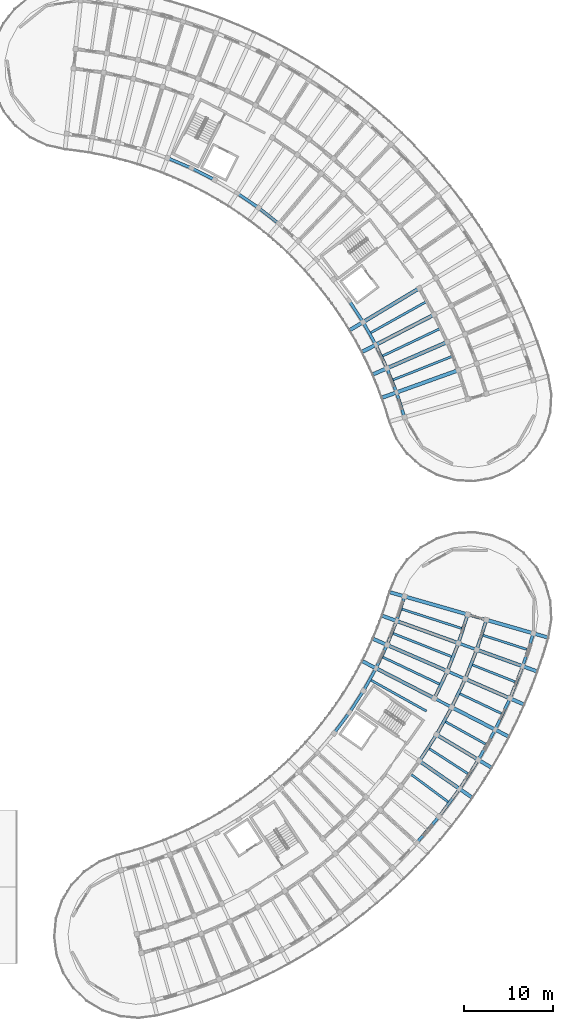
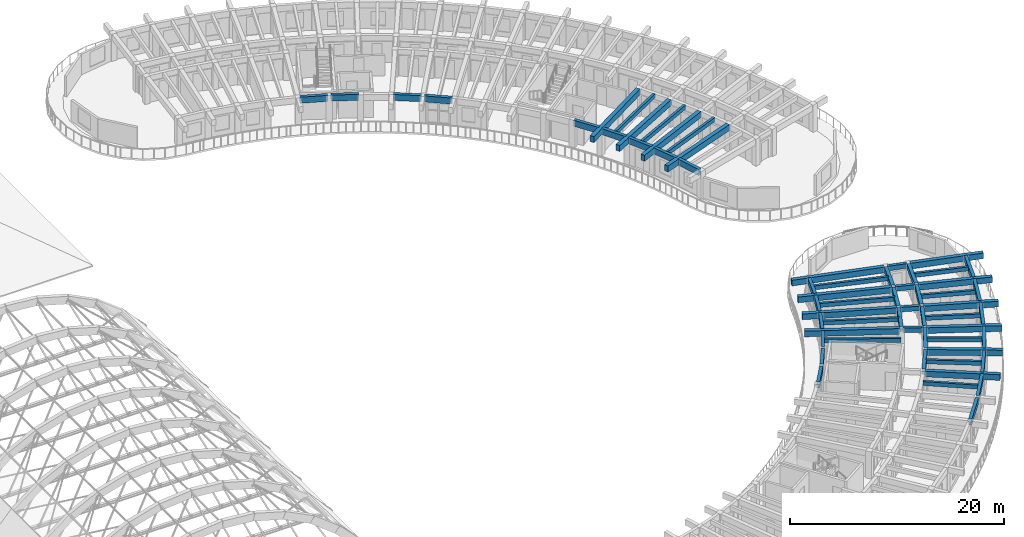
# One storey, part 19 of 81: 61 beams.
"""IFC4 building model written with IfcOpenShell, lengths in metres."""

from ifc_helpers import new_model, si_unit, direction, frame, origin, origin_2d, place, context, subcontext, project, spatial, rectangle, extrude, material, material_profile, profile_set, type_object, element, save


model = new_model("IFC4")

# Units and contexts
model_context = context("Model", 3, precision=1e-05, world=origin(), true_north=direction((0.0, 1.0)))
body_context = subcontext(model_context, "Body", "Model", "MODEL_VIEW")
ifc_project = project(units=[si_unit("LENGTHUNIT", "METRE"), si_unit("AREAUNIT", "SQUARE_METRE"), si_unit("VOLUMEUNIT", "CUBIC_METRE"), si_unit("PLANEANGLEUNIT", "RADIAN"), si_unit("MASSUNIT", "GRAM", prefix="KILO")], contexts=[model_context])

# Site, building, storey
site_placement = place(None, origin())
site = spatial("IfcSite", under=ifc_project, at=site_placement, CompositionType="ELEMENT")
building_placement = place(site_placement, origin())
building = spatial("IfcBuilding", under=site, at=building_placement, Name="Tanwirah Colonnade Gardens", CompositionType="ELEMENT")
storey_placement = place(building_placement, frame((0.0, 0.0, 8.840087890625)))
storey = spatial("IfcBuildingStorey", under=building, at=storey_placement, Name="L02", CompositionType="ELEMENT", Elevation=8.840087890625)

# Beams
ifc_material_1 = material(Name="Precast concrete C40/50", Category="concrete")
ifc_material_profile_1 = material_profile(ifc_material_1, rectangle(XDim=0.360107421875, YDim=0.610107421875, at=origin_2d()), Name="PC-BM 360x610")
ifc_profile_set_1 = profile_set([ifc_material_profile_1], Name="Precast concrete C40/50")
beam_type_1 = type_object("IfcBeamType", Name="BM-PC300", PredefinedType="BEAM", material=ifc_profile_set_1)
for number, where, z_axis, x_axis, name in (
    (1, (165.491455078125, 33.817626953125, 2.7998046875), (0.542825891173, 0.839845254718, 0.0), (-0.839845254718, 0.542825891173, 0.0), "Block D L02 Circumferential Beam 11-R2"),
    (2, (167.40283203125, 36.793212890625, 2.7998046875), (0.486712025227, 0.873562478875, 0.0), (-0.873562478875, 0.486712025227, 0.0), "Block D L02 Circumferential Beam 12-R2"),
):
    element("IfcBeam", number, at=place(storey_placement, frame(where, z_axis=z_axis, x_axis=x_axis)), inside=storey, type_object=beam_type_1, Name=name, PredefinedType="BEAM", context=body_context, shape_type="SweptSolid", body=[
        extrude(rectangle(XDim=0.360107421875, YDim=0.610107421875, at=origin_2d()), origin(), (0.0, 0.0, 1.0), 3.23681640625),
    ])
beam_1_placement = place(storey_placement, frame((167.159912109375, 40.894775390625, 2.7998046875), z_axis=(0.428520598641, 0.903532011907, 0.0), x_axis=(-0.903532011907, 0.428520598641, 0.0)))
element("IfcBeam", 3, at=beam_1_placement, inside=storey, type_object=beam_type_1, Name="Block D L02 Circumferential Beam 13-R1", PredefinedType="BEAM", context=body_context, shape_type="SweptSolid", body=[
    extrude(rectangle(XDim=0.360107421875, YDim=0.610107421875, at=origin_2d()), origin(), (0.0, 0.0, 1.0), 3.093017578125),
])
beam_2_placement = place(storey_placement, frame((169.11572265625, 39.887451171875, 2.7998046875), z_axis=(0.428562893949, 0.903511951183, 0.0), x_axis=(-0.903511951183, 0.428562893949, 0.0)))
element("IfcBeam", 4, at=beam_2_placement, inside=storey, type_object=beam_type_1, Name="Block D L02 Circumferential Beam 13-R2", PredefinedType="BEAM", context=body_context, shape_type="SweptSolid", body=[
    extrude(rectangle(XDim=0.360107421875, YDim=0.610107421875, at=origin_2d()), origin(), (0.0, 0.0, 1.0), 3.23681640625),
])
beam_3_placement = place(storey_placement, frame((168.604736328125, 43.96435546875, 2.7998046875), z_axis=(0.368544574427, 0.929610077753, 0.0), x_axis=(-0.929610077753, 0.368544574427, 0.0)))
element("IfcBeam", 5, at=beam_3_placement, inside=storey, type_object=beam_type_1, Name="Block D L02 Circumferential Beam 14-R1", PredefinedType="BEAM", context=body_context, shape_type="SweptSolid", body=[
    extrude(rectangle(XDim=0.360107421875, YDim=0.610107421875, at=origin_2d()), origin(), (0.0, 0.0, 1.0), 3.093017578125),
])
beam_4_placement = place(storey_placement, frame((170.622314453125, 43.087158203125, 2.7998046875), z_axis=(0.368527954052, 0.929616666741, 0.0), x_axis=(-0.929616666741, 0.368527954052, 0.0)))
element("IfcBeam", 6, at=beam_4_placement, inside=storey, type_object=beam_type_1, Name="Block D L02 Circumferential Beam 14-R2", PredefinedType="BEAM", context=body_context, shape_type="SweptSolid", body=[
    extrude(rectangle(XDim=0.360107421875, YDim=0.610107421875, at=origin_2d()), origin(), (0.0, 0.0, 1.0), 3.23681640625),
])
beam_5_placement = place(storey_placement, frame((169.845947265625, 47.121826171875, 2.7998046875), z_axis=(0.306977410573, 0.951716801048, 0.0), x_axis=(-0.951716801048, 0.306977410573, 0.0)))
element("IfcBeam", 7, at=beam_5_placement, inside=storey, type_object=beam_type_1, Name="Block D L02 Circumferential Beam 15-R1", PredefinedType="BEAM", context=body_context, shape_type="SweptSolid", body=[
    extrude(rectangle(XDim=0.360107421875, YDim=0.610107421875, at=origin_2d()), origin(), (0.0, 0.0, 1.0), 3.093017578125),
])
beam_6_placement = place(storey_placement, frame((171.91650390625, 46.37841796875, 2.7998046875), z_axis=(0.306980742305, 0.951715726388, 0.0), x_axis=(-0.951715726388, 0.306980742305, 0.0)))
element("IfcBeam", 8, at=beam_6_placement, inside=storey, type_object=beam_type_1, Name="Block D L02 Circumferential Beam 15-R2", PredefinedType="BEAM", context=body_context, shape_type="SweptSolid", body=[
    extrude(rectangle(XDim=0.360107421875, YDim=0.610107421875, at=origin_2d()), origin(), (0.0, 0.0, 1.0), 3.23681640625),
])
ifc_material_profile_2 = material_profile(ifc_material_1, rectangle(XDim=0.320068359375, YDim=0.52001953125, at=origin_2d()), Name="PC-BM 320x520")
ifc_profile_set_2 = profile_set([ifc_material_profile_2], Name="Precast concrete C40/50")
beam_type_2 = type_object("IfcBeamType", Name="BM-PC320", PredefinedType="BEAM", material=ifc_profile_set_2)
beam_7_placement = place(storey_placement, frame((167.22900390625, 40.690673828125, 2.844970703125), z_axis=(0.888965044602, -0.457975053334, 0.0), x_axis=(0.457975053334, 0.888965044602, 0.0)))
element("IfcBeam", 9, at=beam_7_placement, inside=storey, type_object=beam_type_2, Name="Block D L02 Corridor Tie Beam 13", PredefinedType="BEAM", context=body_context, shape_type="SweptSolid", body=[
    extrude(rectangle(XDim=0.320068359375, YDim=0.52001953125, at=origin_2d()), origin(), (0.0, 0.0, 1.0), 1.89990234375),
])
beam_8_placement = place(storey_placement, frame((168.68701171875, 43.76513671875, 2.844970703125), z_axis=(0.917025109963, -0.398829471952, 0.0), x_axis=(0.398829471952, 0.917025109963, 0.0)))
element("IfcBeam", 10, at=beam_8_placement, inside=storey, type_object=beam_type_2, Name="Block D L02 Corridor Tie Beam 14", PredefinedType="BEAM", context=body_context, shape_type="SweptSolid", body=[
    extrude(rectangle(XDim=0.320068359375, YDim=0.52001953125, at=origin_2d()), origin(), (0.0, 0.0, 1.0), 1.900146484375),
])
for number, where, z_axis, x_axis, name in (
    (11, (169.941162109375, 46.92822265625, 2.844970703125), (0.941214575511, -0.337809299525, 0.0), (0.337809299525, 0.941214575511, 0.0), "Block D L02 Corridor Tie Beam 15"),
    (12, (170.985595703125, 50.166748046875, 2.844970703125), (0.961266538157, -0.275620468433, 0.0), (0.275620468433, 0.961266538157, 0.0), "Block D L02 Corridor Tie Beam 16"),
):
    element("IfcBeam", number, at=place(storey_placement, frame(where, z_axis=z_axis, x_axis=x_axis)), inside=storey, type_object=beam_type_2, Name=name, PredefinedType="BEAM", context=body_context, shape_type="SweptSolid", body=[
        extrude(rectangle(XDim=0.320068359375, YDim=0.52001953125, at=origin_2d()), origin(), (0.0, 0.0, 1.0), 1.89990234375),
    ])
ifc_material_2 = material(Name="Precast concrete C45/55", Category="concrete")
ifc_material_profile_3 = material_profile(ifc_material_2, rectangle(XDim=0.39990234375, YDim=0.64990234375, at=origin_2d()), Name="PC-BM 400x650")
ifc_profile_set_3 = profile_set([ifc_material_profile_3], Name="Precast concrete C45/55")
beam_type_3 = type_object("IfcBeamType", Name="BM-PC400", PredefinedType="BEAM", material=ifc_profile_set_3)
for number, where, z_axis, x_axis, name in (
    (13, (165.533203125, 33.606201171875, 2.780029296875), (0.821647028495, -0.569996632066, 0.0), (0.569996632066, 0.821647028495, 0.0), "Block D L02 Outer Radial Precast Girder 11"),
    (14, (167.45849609375, 36.5849609375, 2.780029296875), (0.857159687729, -0.515050744812, 0.0), (0.515050744812, 0.857159687729, 0.0), "Block D L02 Outer Radial Precast Girder 12"),
):
    element("IfcBeam", number, at=place(storey_placement, frame(where, z_axis=z_axis, x_axis=x_axis)), inside=storey, type_object=beam_type_3, Name=name, PredefinedType="BEAM", context=body_context, shape_type="SweptSolid", body=[
        extrude(rectangle(XDim=0.39990234375, YDim=0.64990234375, at=origin_2d()), origin(), (0.0, 0.0, 1.0), 7.050048828125),
    ])
beam_9_placement = place(storey_placement, frame((166.962158203125, 40.827880859375, 2.780029296875), z_axis=(-0.889022337846, 0.457863825619, 0.0), x_axis=(-0.457863825619, -0.889022337846, 0.0)))
element("IfcBeam", 15, at=beam_9_placement, inside=storey, type_object=beam_type_3, Name="Block D L02 Inner Radial Precast Girder 13", PredefinedType="BEAM", context=body_context, shape_type="SweptSolid", body=[
    extrude(rectangle(XDim=0.39990234375, YDim=0.64990234375, at=origin_2d()), origin(), (0.0, 0.0, 1.0), 8.949951171875),
])
beam_10_placement = place(storey_placement, frame((169.184814453125, 39.683349609375, 2.780029296875), z_axis=(0.889016420099, -0.457875315774, 0.0), x_axis=(0.457875315774, 0.889016420099, 0.0)))
element("IfcBeam", 16, at=beam_10_placement, inside=storey, type_object=beam_type_3, Name="Block D L02 Outer Radial Precast Girder 13", PredefinedType="BEAM", context=body_context, shape_type="SweptSolid", body=[
    extrude(rectangle(XDim=0.39990234375, YDim=0.64990234375, at=origin_2d()), origin(), (0.0, 0.0, 1.0), 7.050048828125),
])
beam_11_placement = place(storey_placement, frame((168.412109375, 43.884765625, 2.780029296875), z_axis=(-0.917069622575, 0.398727108872, 0.0), x_axis=(-0.398727108872, -0.917069622575, 0.0)))
element("IfcBeam", 17, at=beam_11_placement, inside=storey, type_object=beam_type_3, Name="Block D L02 Inner Radial Precast Girder 14", PredefinedType="BEAM", context=body_context, shape_type="SweptSolid", body=[
    extrude(rectangle(XDim=0.39990234375, YDim=0.64990234375, at=origin_2d()), origin(), (0.0, 0.0, 1.0), 8.949951171875),
])
beam_12_placement = place(storey_placement, frame((170.70458984375, 42.8876953125, 2.780029296875), z_axis=(0.91706895514, -0.398728643965, 0.0), x_axis=(0.398728643965, 0.91706895514, 0.0)))
element("IfcBeam", 18, at=beam_12_placement, inside=storey, type_object=beam_type_3, Name="Block D L02 Outer Radial Precast Girder 14", PredefinedType="BEAM", context=body_context, shape_type="SweptSolid", body=[
    extrude(rectangle(XDim=0.39990234375, YDim=0.64990234375, at=origin_2d()), origin(), (0.0, 0.0, 1.0), 7.050048828125),
])
beam_13_placement = place(storey_placement, frame((169.65869140625, 47.02978515625, 2.780029296875), z_axis=(-0.941180212187, 0.337905028356, 0.0), x_axis=(-0.337905028356, -0.941180212187, 0.0)))
element("IfcBeam", 19, at=beam_13_placement, inside=storey, type_object=beam_type_3, Name="Block D L02 Inner Radial Precast Girder 15", PredefinedType="BEAM", context=body_context, shape_type="SweptSolid", body=[
    extrude(rectangle(XDim=0.39990234375, YDim=0.64990234375, at=origin_2d()), origin(), (0.0, 0.0, 1.0), 8.94970703125),
])
beam_14_placement = place(storey_placement, frame((172.01171875, 46.184814453125, 2.780029296875), z_axis=(0.941174903614, -0.337919814168, 0.0), x_axis=(0.337919814168, 0.941174903614, 0.0)))
element("IfcBeam", 20, at=beam_14_placement, inside=storey, type_object=beam_type_3, Name="Block D L02 Outer Radial Precast Girder 15", PredefinedType="BEAM", context=body_context, shape_type="SweptSolid", body=[
    extrude(rectangle(XDim=0.39990234375, YDim=0.64990234375, at=origin_2d()), origin(), (0.0, 0.0, 1.0), 7.050048828125),
])
beam_15_placement = place(storey_placement, frame((170.697265625, 50.24951171875, 2.780029296875), z_axis=(-0.961258954076, 0.275646917646, 0.0), x_axis=(-0.275646917646, -0.961258954076, 0.0)))
element("IfcBeam", 21, at=beam_15_placement, inside=storey, type_object=beam_type_3, Name="Block D L02 Inner Radial Precast Girder 16", PredefinedType="BEAM", context=body_context, shape_type="SweptSolid", body=[
    extrude(rectangle(XDim=0.39990234375, YDim=0.64990234375, at=origin_2d()), origin(), (0.0, 0.0, 1.0), 8.949951171875),
])
beam_16_placement = place(storey_placement, frame((173.100341796875, 49.560546875, 2.780029296875), z_axis=(0.961256910003, -0.275654045811, 0.0), x_axis=(0.275654045811, 0.961256910003, 0.0)))
element("IfcBeam", 22, at=beam_16_placement, inside=storey, type_object=beam_type_3, Name="Block D L02 Outer Radial Precast Girder 16", PredefinedType="BEAM", context=body_context, shape_type="SweptSolid", body=[
    extrude(rectangle(XDim=0.39990234375, YDim=0.64990234375, at=origin_2d()), origin(), (0.0, 0.0, 1.0), 7.050048828125),
])
ifc_material_profile_4 = material_profile(ifc_material_2, rectangle(XDim=0.419921875, YDim=0.679931640625, at=origin_2d()), Name="PC-BM 420x680")
ifc_profile_set_4 = profile_set([ifc_material_profile_4], Name="Precast concrete C45/55")
beam_type_4 = type_object("IfcBeamType", Name="BM-PC420", PredefinedType="BEAM", material=ifc_profile_set_4)
beam_17_placement = place(storey_placement, frame((169.650390625, 77.69384765625, 2.764892578125), z_axis=(-0.941017049702, -0.338359146723, 0.0), x_axis=(0.338359146723, -0.941017049702, 0.0)))
element("IfcBeam", 23, at=beam_17_placement, inside=storey, type_object=beam_type_4, Name="Block B L02 Inner Radial Precast Girder 1", PredefinedType="BEAM", context=body_context, shape_type="SweptSolid", body=[
    extrude(rectangle(XDim=0.419921875, YDim=0.679931640625, at=origin_2d()), origin(), (0.0, 0.0, 1.0), 8.949951171875),
])
beam_18_placement = place(storey_placement, frame((168.39208984375, 80.861328125, 2.764892578125), z_axis=(-0.916669317869, -0.399646545934, 0.0), x_axis=(0.399646545934, -0.916669317869, 0.0)))
element("IfcBeam", 24, at=beam_18_placement, inside=storey, type_object=beam_type_4, Name="Block B L02 Inner Radial Precast Girder 2", PredefinedType="BEAM", context=body_context, shape_type="SweptSolid", body=[
    extrude(rectangle(XDim=0.419921875, YDim=0.679931640625, at=origin_2d()), origin(), (0.0, 0.0, 1.0), 8.9501953125),
])
beam_19_placement = place(storey_placement, frame((166.927734375, 83.93896484375, 2.764892578125), z_axis=(-0.888345427876, -0.459175784175, 0.0), x_axis=(0.459175784175, -0.888345427876, 0.0)))
element("IfcBeam", 25, at=beam_19_placement, inside=storey, type_object=beam_type_4, Name="Block B L02 Inner Radial Precast Girder 3", PredefinedType="BEAM", context=body_context, shape_type="SweptSolid", body=[
    extrude(rectangle(XDim=0.419921875, YDim=0.679931640625, at=origin_2d()), origin(), (0.0, 0.0, 1.0), 8.949951171875),
])
beam_20_placement = place(storey_placement, frame((165.263916015625, 86.913330078125, 2.764892578125), z_axis=(-0.856168728297, -0.516696340887, 0.0), x_axis=(0.516696340887, -0.856168728297, 0.0)))
element("IfcBeam", 26, at=beam_20_placement, inside=storey, type_object=beam_type_4, Name="Block B L02 Inner Radial Precast Girder 4", PredefinedType="BEAM", context=body_context, shape_type="SweptSolid", body=[
    extrude(rectangle(XDim=0.419921875, YDim=0.679931640625, at=origin_2d()), origin(), (0.0, 0.0, 1.0), 8.9501953125),
])
ifc_material_profile_5 = material_profile(ifc_material_1, rectangle(XDim=0.2548828125, YDim=0.455078125, at=origin_2d()), Name="PC-JST 255x455")
ifc_profile_set_5 = profile_set([ifc_material_profile_5], Name="Precast concrete C40/50")
beam_type_5 = type_object("IfcBeamType", Name="JST-PC240", PredefinedType="JOIST", material=ifc_profile_set_5)
for number, where, z_axis, x_axis, name in (
    (27, (164.474609375, 32.18359375, 2.87744140625), (0.802560347737, -0.596570941499, 0.0), (0.596570941499, 0.802560347737, 0.0), "Block D L02 Precast Floor Joist 10"),
    (28, (166.4951171875, 35.09619140625, 2.87744140625), (0.839842770955, -0.542829733963, 0.0), (0.542829733963, 0.839842770955, 0.0), "Block D L02 Precast Floor Joist 11"),
    (29, (168.32080078125, 38.134521484375, 2.87744140625), (0.87356769437, -0.486702664214, 0.0), (0.486702664214, 0.87356769437, 0.0), "Block D L02 Precast Floor Joist 12"),
):
    element("IfcBeam", number, at=place(storey_placement, frame(where, z_axis=z_axis, x_axis=x_axis)), inside=storey, type_object=beam_type_5, Name=name, PredefinedType="JOIST", context=body_context, shape_type="SweptSolid", body=[
        extrude(rectangle(XDim=0.2548828125, YDim=0.455078125, at=origin_2d()), origin(), (0.0, 0.0, 1.0), 5.260009765625),
    ])
beam_21_placement = place(storey_placement, frame((159.9345703125, 42.80712890625, 2.87744140625), z_axis=(0.873559899034, -0.486716655561, 0.0), x_axis=(0.486716655561, 0.873559899034, 0.0)))
element("IfcBeam", 30, at=beam_21_placement, inside=storey, type_object=beam_type_5, Name="Block D L02 Inner Precast Floor Joist 12", PredefinedType="JOIST", context=body_context, shape_type="SweptSolid", body=[
    extrude(rectangle(XDim=0.2548828125, YDim=0.455078125, at=origin_2d()), origin(), (0.0, 0.0, 1.0), 7.159912109375),
])
beam_22_placement = place(storey_placement, frame((169.94384765625, 41.285888671875, 2.87744140625), z_axis=(0.903517509842, -0.428551174785, 0.0), x_axis=(0.428551174785, 0.903517509842, 0.0)))
element("IfcBeam", 31, at=beam_22_placement, inside=storey, type_object=beam_type_5, Name="Block D L02 Precast Floor Joist 13", PredefinedType="JOIST", context=body_context, shape_type="SweptSolid", body=[
    extrude(rectangle(XDim=0.2548828125, YDim=0.455078125, at=origin_2d()), origin(), (0.0, 0.0, 1.0), 5.260009765625),
])
beam_23_placement = place(storey_placement, frame((161.27001953125, 45.39990234375, 2.87744140625), z_axis=(0.903522492189, -0.428540670308, 0.0), x_axis=(0.428540670308, 0.903522492189, 0.0)))
element("IfcBeam", 32, at=beam_23_placement, inside=storey, type_object=beam_type_5, Name="Block D L02 Inner Precast Floor Joist 13", PredefinedType="JOIST", context=body_context, shape_type="SweptSolid", body=[
    extrude(rectangle(XDim=0.2548828125, YDim=0.455078125, at=origin_2d()), origin(), (0.0, 0.0, 1.0), 7.159912109375),
])
beam_24_placement = place(storey_placement, frame((171.357177734375, 44.53662109375, 2.87744140625), z_axis=(0.929618207145, -0.368524068338, 0.0), x_axis=(0.368524068338, 0.929618207145, 0.0)))
element("IfcBeam", 33, at=beam_24_placement, inside=storey, type_object=beam_type_5, Name="Block D L02 Precast Floor Joist 14", PredefinedType="JOIST", context=body_context, shape_type="SweptSolid", body=[
    extrude(rectangle(XDim=0.2548828125, YDim=0.455078125, at=origin_2d()), origin(), (0.0, 0.0, 1.0), 5.260009765625),
])
beam_25_placement = place(storey_placement, frame((162.432861328125, 48.07470703125, 2.87744140625), z_axis=(0.929619798141, -0.368520054956, 0.0), x_axis=(0.368520054956, 0.929619798141, 0.0)))
element("IfcBeam", 34, at=beam_25_placement, inside=storey, type_object=beam_type_5, Name="Block D L02 Inner Precast Floor Joist 14", PredefinedType="JOIST", context=body_context, shape_type="SweptSolid", body=[
    extrude(rectangle(XDim=0.2548828125, YDim=0.455078125, at=origin_2d()), origin(), (0.0, 0.0, 1.0), 7.16015625),
])
beam_26_placement = place(storey_placement, frame((172.55517578125, 47.873046875, 2.87744140625), z_axis=(0.95172917624, -0.30693904133, 0.0), x_axis=(0.30693904133, 0.95172917624, 0.0)))
element("IfcBeam", 35, at=beam_26_placement, inside=storey, type_object=beam_type_5, Name="Block D L02 Precast Floor Joist 15", PredefinedType="JOIST", context=body_context, shape_type="SweptSolid", body=[
    extrude(rectangle(XDim=0.2548828125, YDim=0.455078125, at=origin_2d()), origin(), (0.0, 0.0, 1.0), 5.260009765625),
])
beam_27_placement = place(storey_placement, frame((163.41845703125, 50.819580078125, 2.87744140625), z_axis=(0.951727255502, -0.30694499692, 0.0), x_axis=(0.30694499692, 0.951727255502, 0.0)))
element("IfcBeam", 36, at=beam_27_placement, inside=storey, type_object=beam_type_5, Name="Block D L02 Inner Precast Floor Joist 15", PredefinedType="JOIST", context=body_context, shape_type="SweptSolid", body=[
    extrude(rectangle(XDim=0.2548828125, YDim=0.455078125, at=origin_2d()), origin(), (0.0, 0.0, 1.0), 7.16015625),
])
ifc_material_profile_6 = material_profile(ifc_material_1, rectangle(XDim=0.260009765625, YDim=0.4599609375, at=origin_2d()), Name="PC-JST 260x460")
ifc_profile_set_6 = profile_set([ifc_material_profile_6], Name="Precast concrete C40/50")
beam_type_6 = type_object("IfcBeamType", Name="JST-PC260", PredefinedType="JOIST", material=ifc_profile_set_6)
for number, where, z_axis, x_axis, name in (
    (37, (162.4208984375, 76.655517578125, 2.875), (0.929348880779, 0.369202732649, 0.0), (-0.369202732649, 0.929348880779, 0.0), "Block B L02 Inner Precast Floor Joist 1"),
    (38, (161.246826171875, 79.348876953125, 2.875), (0.903005429363, 0.429629136048, 0.0), (-0.429629136048, 0.903005429363, 0.0), "Block B L02 Inner Precast Floor Joist 2"),
    (39, (159.897705078125, 81.958984375, 2.875), (0.872726875563, 0.488208767506, 0.0), (-0.488208767506, 0.872726875563, 0.0), "Block B L02 Inner Precast Floor Joist 3"),
):
    element("IfcBeam", number, at=place(storey_placement, frame(where, z_axis=z_axis, x_axis=x_axis)), inside=storey, type_object=beam_type_6, Name=name, PredefinedType="JOIST", context=body_context, shape_type="SweptSolid", body=[
        extrude(rectangle(XDim=0.260009765625, YDim=0.4599609375, at=origin_2d()), origin(), (0.0, 0.0, 1.0), 7.16015625),
    ])
ifc_material_profile_7 = material_profile(ifc_material_1, rectangle(XDim=0.324951171875, YDim=0.68505859375, at=origin_2d()), Name="PC-SP 325x685")
ifc_profile_set_7 = profile_set([ifc_material_profile_7], Name="Precast concrete C40/50")
beam_type_7 = type_object("IfcBeamType", Name="SP-PC260", PredefinedType="SPANDREL", material=ifc_profile_set_7)
beam_28_placement = place(storey_placement, frame((165.17724609375, 24.574951171875, 2.762451171875), z_axis=(0.647784367984, 0.76182374116, 0.0), x_axis=(-0.76182374116, 0.647784367984, 0.0)))
element("IfcBeam", 40, at=beam_28_placement, inside=storey, type_object=beam_type_7, Name="Block D L02 Circumferential Beam 9-R3", PredefinedType="SPANDREL", context=body_context, shape_type="SweptSolid", body=[
    extrude(rectangle(XDim=0.324951171875, YDim=0.68505859375, at=origin_2d()), origin(), (0.0, 0.0, 1.0), 3.5966796875),
])
beam_29_placement = place(storey_placement, frame((155.87646484375, 36.94970703125, 2.762451171875), z_axis=(0.596565220249, 0.802564600508, 0.0), x_axis=(-0.802564600508, 0.596565220249, 0.0)))
element("IfcBeam", 41, at=beam_29_placement, inside=storey, type_object=beam_type_7, Name="Block D L02 Circumferential Beam 10-R0", PredefinedType="SPANDREL", context=body_context, shape_type="SweptSolid", body=[
    extrude(rectangle(XDim=0.324951171875, YDim=0.68505859375, at=origin_2d()), origin(), (0.0, 0.0, 1.0), 2.6083984375),
])
beam_30_placement = place(storey_placement, frame((167.69384765625, 27.549560546875, 2.762451171875), z_axis=(0.596562665898, 0.802566499212, 0.0), x_axis=(-0.802566499212, 0.596562665898, 0.0)))
element("IfcBeam", 42, at=beam_30_placement, inside=storey, type_object=beam_type_7, Name="Block D L02 Circumferential Beam 10-R3", PredefinedType="SPANDREL", context=body_context, shape_type="SweptSolid", body=[
    extrude(rectangle(XDim=0.324951171875, YDim=0.68505859375, at=origin_2d()), origin(), (0.0, 0.0, 1.0), 3.596923828125),
])
beam_31_placement = place(storey_placement, frame((157.603515625, 39.28955078125, 2.762451171875), z_axis=(0.542874837406, 0.83981361677, 0.0), x_axis=(-0.83981361677, 0.542874837406, 0.0)))
element("IfcBeam", 43, at=beam_31_placement, inside=storey, type_object=beam_type_7, Name="Block D L02 Circumferential Beam 11-R0", PredefinedType="SPANDREL", context=body_context, shape_type="SweptSolid", body=[
    extrude(rectangle(XDim=0.324951171875, YDim=0.68505859375, at=origin_2d()), origin(), (0.0, 0.0, 1.0), 2.60888671875),
])
beam_32_placement = place(storey_placement, frame((170.010498046875, 30.6826171875, 2.762451171875), z_axis=(0.542786838894, 0.839870494495, 0.0), x_axis=(-0.839870494495, 0.542786838894, 0.0)))
element("IfcBeam", 44, at=beam_32_placement, inside=storey, type_object=beam_type_7, Name="Block D L02 Circumferential Beam 11-R3", PredefinedType="SPANDREL", context=body_context, shape_type="SweptSolid", body=[
    extrude(rectangle(XDim=0.324951171875, YDim=0.68505859375, at=origin_2d()), origin(), (0.0, 0.0, 1.0), 3.596923828125),
])
beam_33_placement = place(storey_placement, frame((159.174072265625, 41.737548828125, 2.762451171875), z_axis=(0.486747049114, 0.873542964129, 0.0), x_axis=(-0.873542964129, 0.486747049114, 0.0)))
element("IfcBeam", 45, at=beam_33_placement, inside=storey, type_object=beam_type_7, Name="Block D L02 Circumferential Beam 12-R0", PredefinedType="SPANDREL", context=body_context, shape_type="SweptSolid", body=[
    extrude(rectangle(XDim=0.324951171875, YDim=0.68505859375, at=origin_2d()), origin(), (0.0, 0.0, 1.0), 2.608642578125),
])
beam_34_placement = place(storey_placement, frame((172.117431640625, 33.96044921875, 2.762451171875), z_axis=(0.486679958674, 0.87358034423, 0.0), x_axis=(-0.87358034423, 0.486679958674, 0.0)))
element("IfcBeam", 46, at=beam_34_placement, inside=storey, type_object=beam_type_7, Name="Block D L02 Circumferential Beam 12-R3", PredefinedType="SPANDREL", context=body_context, shape_type="SweptSolid", body=[
    extrude(rectangle(XDim=0.324951171875, YDim=0.68505859375, at=origin_2d()), origin(), (0.0, 0.0, 1.0), 3.5966796875),
])
beam_35_placement = place(storey_placement, frame((160.5810546875, 44.282958984375, 2.762451171875), z_axis=(0.428512709915, 0.903535753272, 0.0), x_axis=(-0.903535753272, 0.428512709915, 0.0)))
element("IfcBeam", 47, at=beam_35_placement, inside=storey, type_object=beam_type_7, Name="Block D L02 Circumferential Beam 13-R0", PredefinedType="SPANDREL", context=body_context, shape_type="SweptSolid", body=[
    extrude(rectangle(XDim=0.324951171875, YDim=0.68505859375, at=origin_2d()), origin(), (0.0, 0.0, 1.0), 2.60888671875),
])
beam_36_placement = place(storey_placement, frame((174.00537109375, 37.369140625, 2.762451171875), z_axis=(0.428518139447, 0.903533178231, 0.0), x_axis=(-0.903533178231, 0.428518139447, 0.0)))
element("IfcBeam", 48, at=beam_36_placement, inside=storey, type_object=beam_type_7, Name="Block D L02 Circumferential Beam 13-R3", PredefinedType="SPANDREL", context=body_context, shape_type="SweptSolid", body=[
    extrude(rectangle(XDim=0.324951171875, YDim=0.68505859375, at=origin_2d()), origin(), (0.0, 0.0, 1.0), 3.5966796875),
])
beam_37_placement = place(storey_placement, frame((161.818603515625, 46.9150390625, 2.762451171875), z_axis=(0.368549031306, 0.929608310808, 0.0), x_axis=(-0.929608310808, 0.368549031306, 0.0)))
element("IfcBeam", 49, at=beam_37_placement, inside=storey, type_object=beam_type_7, Name="Block D L02 Circumferential Beam 14-R0", PredefinedType="SPANDREL", context=body_context, shape_type="SweptSolid", body=[
    extrude(rectangle(XDim=0.324951171875, YDim=0.68505859375, at=origin_2d()), origin(), (0.0, 0.0, 1.0), 2.608642578125),
])
beam_38_placement = place(storey_placement, frame((175.666259765625, 40.89404296875, 2.762451171875), z_axis=(0.368521552478, 0.929619204491, 0.0), x_axis=(-0.929619204491, 0.368521552478, 0.0)))
element("IfcBeam", 50, at=beam_38_placement, inside=storey, type_object=beam_type_7, Name="Block D L02 Circumferential Beam 14-R3", PredefinedType="SPANDREL", context=body_context, shape_type="SweptSolid", body=[
    extrude(rectangle(XDim=0.324951171875, YDim=0.68505859375, at=origin_2d()), origin(), (0.0, 0.0, 1.0), 3.5966796875),
])
beam_39_placement = place(storey_placement, frame((162.88134765625, 49.622314453125, 2.762451171875), z_axis=(0.306948094518, 0.951726256479, 0.0), x_axis=(-0.951726256479, 0.306948094518, 0.0)))
element("IfcBeam", 51, at=beam_39_placement, inside=storey, type_object=beam_type_7, Name="Block D L02 Circumferential Beam 15-R0", PredefinedType="SPANDREL", context=body_context, shape_type="SweptSolid", body=[
    extrude(rectangle(XDim=0.324951171875, YDim=0.68505859375, at=origin_2d()), origin(), (0.0, 0.0, 1.0), 2.60888671875),
])
beam_40_placement = place(storey_placement, frame((177.093017578125, 44.519775390625, 2.762451171875), z_axis=(0.306927419976, 0.951732924127, 0.0), x_axis=(-0.951732924127, 0.306927419976, 0.0)))
element("IfcBeam", 52, at=beam_40_placement, inside=storey, type_object=beam_type_7, Name="Block D L02 Circumferential Beam 15-R3", PredefinedType="SPANDREL", context=body_context, shape_type="SweptSolid", body=[
    extrude(rectangle(XDim=0.324951171875, YDim=0.68505859375, at=origin_2d()), origin(), (0.0, 0.0, 1.0), 3.596923828125),
])
ifc_material_profile_8 = material_profile(ifc_material_1, rectangle(XDim=0.3349609375, YDim=0.695068359375, at=origin_2d()), Name="PC-SP 335x695")
ifc_profile_set_8 = profile_set([ifc_material_profile_8], Name="Precast concrete C40/50")
beam_type_8 = type_object("IfcBeamType", Name="SP-PC300", PredefinedType="SPANDREL", material=ifc_profile_set_8)
beam_41_placement = place(storey_placement, frame((163.681884765625, 72.5947265625, 2.75732421875), z_axis=(-0.307135661902, 0.951665742363, 0.0), x_axis=(-0.951665742363, -0.307135661902, 0.0)))
element("IfcBeam", 53, at=beam_41_placement, inside=storey, type_object=beam_type_8, Name="Block B L02 Circumferential Beam 0-R0", PredefinedType="SPANDREL", context=body_context, shape_type="SweptSolid", body=[
    extrude(rectangle(XDim=0.3349609375, YDim=0.695068359375, at=origin_2d()), origin(), (0.0, 0.0, 1.0), 2.63037109375),
])
beam_42_placement = place(storey_placement, frame((162.772705078125, 75.380126953125, 2.75732421875), z_axis=(-0.369245181709, 0.929332015904, 0.0), x_axis=(-0.929332015904, -0.369245181709, 0.0)))
element("IfcBeam", 54, at=beam_42_placement, inside=storey, type_object=beam_type_8, Name="Block B L02 Circumferential Beam 1-R0", PredefinedType="SPANDREL", context=body_context, shape_type="SweptSolid", body=[
    extrude(rectangle(XDim=0.3349609375, YDim=0.695068359375, at=origin_2d()), origin(), (0.0, 0.0, 1.0), 2.630126953125),
])
beam_43_placement = place(storey_placement, frame((161.681640625, 78.099365234375, 2.75732421875), z_axis=(-0.42964173036, 0.902999437172, 0.0), x_axis=(-0.902999437172, -0.42964173036, 0.0)))
element("IfcBeam", 55, at=beam_43_placement, inside=storey, type_object=beam_type_8, Name="Block B L02 Circumferential Beam 2-R0", PredefinedType="SPANDREL", context=body_context, shape_type="SweptSolid", body=[
    extrude(rectangle(XDim=0.3349609375, YDim=0.695068359375, at=origin_2d()), origin(), (0.0, 0.0, 1.0), 2.63037109375),
])
beam_44_placement = place(storey_placement, frame((160.413818359375, 80.740966796875, 2.75732421875), z_axis=(-0.488170837957, 0.872748092503, 0.0), x_axis=(-0.872748092503, -0.488170837957, 0.0)))
element("IfcBeam", 56, at=beam_44_placement, inside=storey, type_object=beam_type_8, Name="Block B L02 Circumferential Beam 3-R0", PredefinedType="SPANDREL", context=body_context, shape_type="SweptSolid", body=[
    extrude(rectangle(XDim=0.3349609375, YDim=0.695068359375, at=origin_2d()), origin(), (0.0, 0.0, 1.0), 2.630126953125),
])
for number, where, z_axis, x_axis, name in (
    (57, (158.974853515625, 83.29296875, 2.75732421875), (-0.544570677829, 0.838714955661, 0.0), (-0.838714955661, -0.544570677829, 0.0), "Block B L02 Circumferential Beam 4-R0"),
    (58, (149.453857421875, 94.34326171875, 2.75732421875), (-0.786836625031, 0.617161344795, 0.0), (-0.617161344795, -0.786836625031, 0.0), "Block B L02 Circumferential Beam 9-R0"),
    (59, (147.142578125, 96.143798828125, 2.75732421875), (-0.825800981874, 0.563961646158, 0.0), (-0.563961646158, -0.825800981874, 0.0), "Block B L02 Circumferential Beam 10-R0"),
    (60, (142.189453125, 99.26904296875, 2.75732421875), (-0.892769015158, 0.450514689632, 0.0), (-0.450514689632, -0.892769015158, 0.0), "Block B L02 Circumferential Beam 12-R0"),
    (61, (139.569091796875, 100.580322265625, 2.75732421875), (-0.920488719784, 0.390769134848, 0.0), (-0.390769134848, -0.920488719784, 0.0), "Block B L02 Circumferential Beam 13-R0"),
):
    element("IfcBeam", number, at=place(storey_placement, frame(where, z_axis=z_axis, x_axis=x_axis)), inside=storey, type_object=beam_type_8, Name=name, PredefinedType="SPANDREL", context=body_context, shape_type="SweptSolid", body=[
        extrude(rectangle(XDim=0.3349609375, YDim=0.695068359375, at=origin_2d()), origin(), (0.0, 0.0, 1.0), 2.63037109375),
    ])

save(model, "model.ifc")
